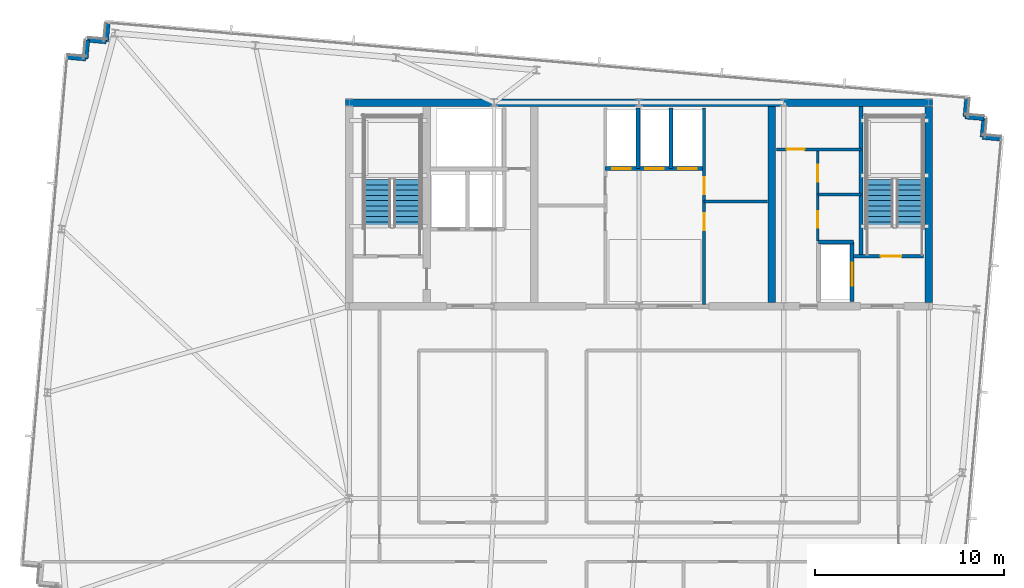
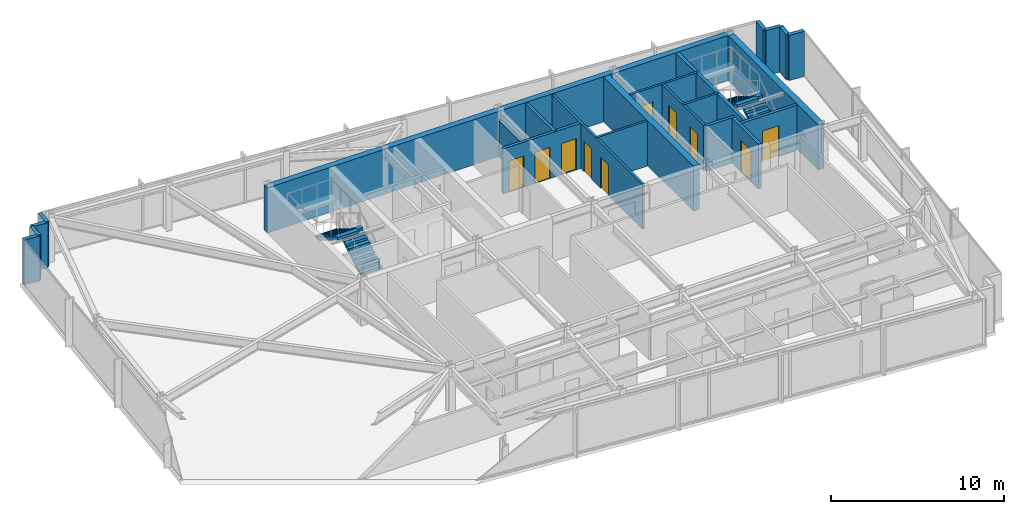
# One storey, part 28 of 32: 23 walls, 10 doors, 4 stair flights, 10 openings, 2 elements without a shape of their own.
"""IFC4 building model written with IfcOpenShell, lengths in metres."""

from ifc_helpers import new_model, si_unit, direction, frame, frame_2d, origin, place, context, subcontext, project, spatial, polyline, rectangle, outline, extrude, material, layer, layer_set, type_object, element, fill, aggregate, save


model = new_model("IFC4")

# Units and contexts
model_context = context("Model", 3, precision=1e-05, world=origin(), true_north=direction((0.0, 1.0)))
body_context = subcontext(model_context, "Body", "Model", "MODEL_VIEW")
ifc_project = project(units=[si_unit("LENGTHUNIT", "METRE"), si_unit("AREAUNIT", "SQUARE_METRE"), si_unit("VOLUMEUNIT", "CUBIC_METRE"), si_unit("PLANEANGLEUNIT", "RADIAN"), si_unit("MASSUNIT", "GRAM", prefix="KILO")], contexts=[model_context])

# Site, building, storey
site_placement = place(None, origin())
site = spatial("IfcSite", under=ifc_project, at=site_placement, CompositionType="ELEMENT")
building_placement = place(site_placement, origin())
building = spatial("IfcBuilding", under=site, at=building_placement, Name="Yelkora Congress Tower", CompositionType="ELEMENT")
storey_placement = place(building_placement, frame((0.0, 0.0, 276.10009765625)))
storey = spatial("IfcBuildingStorey", under=building, at=storey_placement, Name="L77", CompositionType="ELEMENT", Elevation=276.10009765625)

# Walls
ifc_material_1 = material(Name="Concrete C50/60", Category="concrete")
ifc_layer_1 = layer(ifc_material_1, 0.219970703125)
ifc_layer_set_1 = layer_set([ifc_layer_1], Name="Concrete C50/60")
wall_type_1 = type_object("IfcWallType", Name="WALL-CORE-INT-220", PredefinedType="SHEAR", material=ifc_layer_set_1)
wall_1_placement = place(storey_placement, frame((50.179931640625, 38.050048828125, 0.0), z_axis=(0.0, 0.0, 1.0), x_axis=(0.0, 1.0, 0.0)))
element("IfcWall", 1, at=wall_1_placement, inside=storey, type_object=wall_type_1, Name="L77 ST02 West Stair Shear Wall", PredefinedType="SHEAR", context=body_context, shape_type="SweptSolid", body=[
    extrude(rectangle(XDim=7.949951171875, YDim=0.219970703125, at=frame_2d((3.97509765625, 0.0))), origin(), (0.0, 0.0, 1.0), 3.179931640625),
])
ifc_layer_2 = layer(ifc_material_1, 0.39990234375)
ifc_layer_set_2 = layer_set([ifc_layer_2], Name="Concrete C50/60")
wall_type_2 = type_object("IfcWallType", Name="WALL-CORE-INT-400", PredefinedType="SHEAR", material=ifc_layer_set_2)
wall_2_placement = place(storey_placement, frame((22.840087890625, 46.199951171875, 0.0), z_axis=(0.0, 0.0, 1.0), x_axis=(1.0, 0.0, 0.0)))
element("IfcWall", 2, at=wall_2_placement, inside=storey, type_object=wall_type_2, Name="L77 Rear Core North Shear Wall", PredefinedType="SHEAR", context=body_context, shape_type="SweptSolid", body=[
    extrude(rectangle(XDim=31.119873046875, YDim=0.39990234375, at=frame_2d((15.56005859375, 0.0))), origin(), (0.0, 0.0, 1.0), 3.179931640625),
])
for number, where, z_axis, x_axis, name in (
    (3, (45.449951171875, 35.60009765625, 0.0), (0.0, 0.0, 1.0), (0.0, 1.0, 0.0), "L77 Rear Core Cross Shear Wall C3"),
    (4, (53.760009765625, 35.60009765625, 0.0), (0.0, 0.0, 1.0), (0.0, 1.0, 0.0), "L77 Rear Core Cross Shear Wall E"),
):
    element("IfcWall", number, at=place(storey_placement, frame(where, z_axis=z_axis, x_axis=x_axis)), inside=storey, type_object=wall_type_2, Name=name, PredefinedType="SHEAR", context=body_context, shape_type="SweptSolid", body=[
        extrude(rectangle(XDim=10.39990234375, YDim=0.39990234375, at=frame_2d((5.199951171875, 0.0))), origin(), (0.0, 0.0, 1.0), 3.179931640625),
    ])
ifc_material_2 = material(Name="Concrete C40/50", Category="concrete")
ifc_layer_3 = layer(ifc_material_2, 0.239990234375)
ifc_layer_set_3 = layer_set([ifc_layer_3], Name="Concrete C40/50")
wall_type_3 = type_object("IfcWallType", Name="WALL-EXT-LIMESTONE-240", PredefinedType="SOLIDWALL", material=ifc_layer_set_3)
for number, where, z_axis, x_axis, name in (
    (5, (8.0732421875, 48.609619140625, 0.0), (0.0, 0.0, 1.0), (0.996195572005, -0.087145753297, 0.0), "L77 Serrated Corner Limestone Pier 6"),
    (6, (9.069580078125, 48.5224609375, 0.0), (0.0, 0.0, 1.0), (0.087145753297, 0.996195572005, 0.0), "L77 Serrated Corner Limestone Pier 7"),
):
    element("IfcWall", number, at=place(storey_placement, frame(where, z_axis=z_axis, x_axis=x_axis)), inside=storey, type_object=wall_type_3, Name=name, PredefinedType="SOLIDWALL", context=body_context, shape_type="SweptSolid", body=[
        extrude(rectangle(XDim=1.000244140625, YDim=0.239990234375, at=frame_2d((0.5, 0.0))), origin(), (0.0, 0.0, 1.0), 3.179931640625),
    ])
for number, where, z_axis, x_axis, name in (
    (7, (9.15673828125, 49.518798828125, 0.0), (0.0, 0.0, 1.0), (0.996193717496, -0.087166950281, 0.0), "L77 Serrated Corner Limestone Pier 8"),
    (8, (10.15283203125, 49.431640625, 0.0), (0.0, 0.0, 1.0), (0.087166950281, 0.996193717496, 0.0), "L77 Serrated Corner Limestone Pier 9"),
    (9, (55.785888671875, 46.443115234375, 0.0), (0.0, 0.0, 1.0), (-0.086903493655, -0.996216734848, 0.0), "L77 Serrated Corner Limestone Pier 11"),
    (10, (55.698974609375, 45.44677734375, 0.0), (0.0, 0.0, 1.0), (0.996193717496, -0.087166950281, 0.0), "L77 Serrated Corner Limestone Pier 12"),
    (11, (56.695068359375, 45.359619140625, 0.0), (0.0, 0.0, 1.0), (-0.087166950281, -0.996193717496, 0.0), "L77 Serrated Corner Limestone Pier 13"),
    (12, (56.60791015625, 44.363525390625, 0.0), (0.0, 0.0, 1.0), (0.996193717496, -0.087166950281, 0.0), "L77 Serrated Corner Limestone Pier 14"),
):
    element("IfcWall", number, at=place(storey_placement, frame(where, z_axis=z_axis, x_axis=x_axis)), inside=storey, type_object=wall_type_3, Name=name, PredefinedType="SOLIDWALL", context=body_context, shape_type="SweptSolid", body=[
        extrude(rectangle(XDim=1.0, YDim=0.239990234375, at=frame_2d((0.5, 0.0))), origin(), (0.0, 0.0, 1.0), 3.179931640625),
    ])

# Wall, opening, door
ifc_material_3 = material(Name="Acoustic metal-stud gypsum partition", Category="gypsum")
ifc_layer_4 = layer(ifc_material_3, 0.14990234375)
ifc_layer_set_4 = layer_set([ifc_layer_4], Name="Acoustic metal-stud gypsum partition")
wall_type_4 = type_object("IfcWallType", Name="WALL-INT-150-NR", PredefinedType="PARTITIONING", material=ifc_layer_set_4)
wall_3_placement = place(storey_placement, frame((45.679931640625, 43.719970703125, 0.0), z_axis=(0.0, 0.0, 1.0), x_axis=(1.0, 0.0, 0.0)))
wall_3 = element("IfcWall", 13, at=wall_3_placement, inside=storey, type_object=wall_type_4, Name="L77 Partition Wall 20", PredefinedType="PARTITIONING", context=body_context, shape_type="SweptSolid", body=[
    extrude(rectangle(XDim=4.5, YDim=0.14990234375, at=frame_2d((2.25, 0.0))), origin(), (0.0, 0.0, 1.0), 3.179931640625),
])
opening_1_placement = place(wall_3_placement, frame((0.550048828125, 0.0, 0.0)))
opening_1 = element("IfcOpeningElement", 14, at=opening_1_placement, cuts=wall_3, Name="Opening DR-095N", PredefinedType="OPENING", context=body_context, shape_type="SweptSolid", body=[
    extrude(rectangle(XDim=0.949951171875, YDim=2.14990234375, at=frame_2d((0.47509765625, 1.074951171875))), frame((0.0, 0.0849609375, 0.0), z_axis=(0.0, -1.0, 0.0), x_axis=(1.0, 0.0, 0.0)), (0.0, 0.0, 1.0), 0.169921875),
])
ifc_material_4 = material(Name="Acoustic laminated timber office door", Category="wood")
door_type_1 = type_object("IfcDoorType", Name="DOOR-INT-950", OperationType="NOTDEFINED", PredefinedType="DOOR", material=ifc_material_4)
door_1_placement = place(opening_1_placement, origin())
door_1 = element("IfcDoor", 15, at=door_1_placement, inside=storey, type_object=door_type_1, Name="L77 Accessible WC Door", OperationType="SINGLE_SWING_LEFT", OverallHeight=2.14990234375, OverallWidth=0.949951171875, PredefinedType="DOOR", context=body_context, shape_type="SweptSolid", body=[
    extrude(rectangle(XDim=0.949951171875, YDim=2.14990234375, at=frame_2d((0.47509765625, 1.074951171875))), frame((0.0, 0.02490234375, 0.0), z_axis=(0.0, -1.0, 0.0), x_axis=(1.0, 0.0, 0.0)), (0.0, 0.0, 1.0), 0.050048828125),
])
fill(opening_1, door_1)

# Wall
wall_4_placement = place(storey_placement, frame((47.8798828125, 41.320068359375, 0.0), z_axis=(0.0, 0.0, 1.0), x_axis=(1.0, 0.0, 0.0)))
element("IfcWall", 16, at=wall_4_placement, inside=storey, type_object=wall_type_4, Name="L77 Partition Wall 21", PredefinedType="PARTITIONING", context=body_context, shape_type="SweptSolid", body=[
    extrude(rectangle(XDim=2.300048828125, YDim=0.14990234375, at=frame_2d((1.14990234375, 0.0))), origin(), (0.0, 0.0, 1.0), 3.179931640625),
])

# Wall, openings, doors
wall_5_placement = place(storey_placement, frame((47.8798828125, 38.85009765625, 0.0), z_axis=(0.0, 0.0, 1.0), x_axis=(0.0, 1.0, 0.0)))
wall_5 = element("IfcWall", 17, at=wall_5_placement, inside=storey, type_object=wall_type_4, Name="L77 Partition Wall 22", PredefinedType="PARTITIONING", context=body_context, shape_type="SweptSolid", body=[
    extrude(rectangle(XDim=4.869873046875, YDim=0.14990234375, at=frame_2d((2.43505859375, 0.0))), origin(), (0.0, 0.0, 1.0), 3.179931640625),
])
opening_2_placement = place(wall_5_placement, frame((0.699951171875, 0.0, 0.0)))
opening_2 = element("IfcOpeningElement", 18, at=opening_2_placement, cuts=wall_5, Name="Opening DR-090N", PredefinedType="OPENING", context=body_context, shape_type="SweptSolid", body=[
    extrude(rectangle(XDim=0.89990234375, YDim=2.14990234375, at=frame_2d((0.449951171875, 1.074951171875))), frame((0.0, 0.0849609375, 0.0), z_axis=(0.0, -1.0, 0.0), x_axis=(1.0, 0.0, 0.0)), (0.0, 0.0, 1.0), 0.169921875),
])
opening_3_placement = place(wall_5_placement, frame((3.14990234375, 0.0, 0.0)))
opening_3 = element("IfcOpeningElement", 19, at=opening_3_placement, cuts=wall_5, Name="Opening DR-090N", PredefinedType="OPENING", context=body_context, shape_type="SweptSolid", body=[
    extrude(rectangle(XDim=0.89990234375, YDim=2.14990234375, at=frame_2d((0.449951171875, 1.074951171875))), frame((0.0, 0.0849609375, 0.0), z_axis=(0.0, -1.0, 0.0), x_axis=(1.0, 0.0, 0.0)), (0.0, 0.0, 1.0), 0.169921875),
])
ifc_material_5 = material(Name="Moisture-resistant laminate door leaf", Category="wood")
door_type_2 = type_object("IfcDoorType", Name="DOOR-INT-900", OperationType="NOTDEFINED", PredefinedType="DOOR", material=ifc_material_5)
door_2_placement = place(opening_2_placement, origin())
door_2 = element("IfcDoor", 20, at=door_2_placement, inside=storey, type_object=door_type_2, Name="L77 Male WC Door", OperationType="SINGLE_SWING_RIGHT", OverallHeight=2.14990234375, OverallWidth=0.89990234375, PredefinedType="DOOR", context=body_context, shape_type="SweptSolid", body=[
    extrude(rectangle(XDim=0.89990234375, YDim=2.14990234375, at=frame_2d((0.449951171875, 1.074951171875))), frame((0.0, 0.02490234375, 0.0), z_axis=(0.0, -1.0, 0.0), x_axis=(1.0, 0.0, 0.0)), (0.0, 0.0, 1.0), 0.050048828125),
])
fill(opening_2, door_2)
door_3_placement = place(opening_3_placement, origin())
door_3 = element("IfcDoor", 21, at=door_3_placement, inside=storey, type_object=door_type_2, Name="L77 Female WC Door", OperationType="SINGLE_SWING_LEFT", OverallHeight=2.14990234375, OverallWidth=0.89990234375, PredefinedType="DOOR", context=body_context, shape_type="SweptSolid", body=[
    extrude(rectangle(XDim=0.89990234375, YDim=2.14990234375, at=frame_2d((0.449951171875, 1.074951171875))), frame((0.0, 0.02490234375, 0.0), z_axis=(0.0, -1.0, 0.0), x_axis=(1.0, 0.0, 0.0)), (0.0, 0.0, 1.0), 0.050048828125),
])
fill(opening_3, door_3)

# Wall
ifc_material_6 = material(Name="Twin-stud fire-rated gypsum partition", Category="gypsum")
ifc_layer_5 = layer(ifc_material_6, 0.14990234375)
ifc_layer_set_5 = layer_set([ifc_layer_5], Name="Twin-stud fire-rated gypsum partition")
wall_type_5 = type_object("IfcWallType", Name="WALL-INT-150-R60", PredefinedType="PARTITIONING", material=ifc_layer_set_5)
wall_6_placement = place(storey_placement, frame((41.85009765625, 40.949951171875, 0.0), z_axis=(0.0, 0.0, 1.0), x_axis=(1.0, 0.0, 0.0)))
element("IfcWall", 22, at=wall_6_placement, inside=storey, type_object=wall_type_5, Name="L77 Partition Wall 13", PredefinedType="PARTITIONING", context=body_context, shape_type="SweptSolid", body=[
    extrude(rectangle(XDim=3.369873046875, YDim=0.14990234375, at=frame_2d((1.68505859375, 0.0))), origin(), (0.0, 0.0, 1.0), 3.179931640625),
])

# Wall, openings, doors
wall_7_placement = place(storey_placement, frame((41.85009765625, 35.5, 0.0), z_axis=(0.0, 0.0, 1.0), x_axis=(0.0, 1.0, 0.0)))
wall_7 = element("IfcWall", 23, at=wall_7_placement, inside=storey, type_object=wall_type_5, Name="L77 Partition Wall 14", PredefinedType="PARTITIONING", context=body_context, shape_type="SweptSolid", body=[
    extrude(rectangle(XDim=10.419921875, YDim=0.14990234375, at=frame_2d((5.2099609375, 0.0))), origin(), (0.0, 0.0, 1.0), 3.179931640625),
])
opening_4_placement = place(wall_7_placement, frame((3.919921875, 0.0, 0.0)))
opening_4 = element("IfcOpeningElement", 24, at=opening_4_placement, cuts=wall_7, Name="Opening DR-090F6", PredefinedType="OPENING", context=body_context, shape_type="SweptSolid", body=[
    extrude(rectangle(XDim=0.89990234375, YDim=2.14990234375, at=frame_2d((0.449951171875, 1.074951171875))), frame((0.0, 0.0849609375, 0.0), z_axis=(0.0, -1.0, 0.0), x_axis=(1.0, 0.0, 0.0)), (0.0, 0.0, 1.0), 0.169921875),
])
opening_5_placement = place(wall_7_placement, frame((5.85009765625, 0.0, 0.0)))
opening_5 = element("IfcOpeningElement", 25, at=opening_5_placement, cuts=wall_7, Name="Opening DR-090F6", PredefinedType="OPENING", context=body_context, shape_type="SweptSolid", body=[
    extrude(rectangle(XDim=0.89990234375, YDim=2.14990234375, at=frame_2d((0.449951171875, 1.074951171875))), frame((0.0, 0.0849609375, 0.0), z_axis=(0.0, -1.0, 0.0), x_axis=(1.0, 0.0, 0.0)), (0.0, 0.0, 1.0), 0.169921875),
])
ifc_material_7 = material(Name="Painted steel riser fire door leaf", Category="steel")
door_type_3 = type_object("IfcDoorType", Name="DOOR-FD60-900", OperationType="NOTDEFINED", PredefinedType="DOOR", material=ifc_material_7)
door_4_placement = place(opening_4_placement, origin())
door_4 = element("IfcDoor", 26, at=door_4_placement, inside=storey, type_object=door_type_3, Name="L77 High-Zone BMS Door", OperationType="SINGLE_SWING_RIGHT", OverallHeight=2.14990234375, OverallWidth=0.89990234375, PredefinedType="DOOR", context=body_context, shape_type="SweptSolid", body=[
    extrude(rectangle(XDim=0.89990234375, YDim=2.14990234375, at=frame_2d((0.449951171875, 1.074951171875))), frame((0.0, 0.02490234375, 0.0), z_axis=(0.0, -1.0, 0.0), x_axis=(1.0, 0.0, 0.0)), (0.0, 0.0, 1.0), 0.050048828125),
])
fill(opening_4, door_4)
door_5_placement = place(opening_5_placement, origin())
door_5 = element("IfcDoor", 27, at=door_5_placement, inside=storey, type_object=door_type_3, Name="L77 Linen Store Door", OperationType="SINGLE_SWING_LEFT", OverallHeight=2.14990234375, OverallWidth=0.89990234375, PredefinedType="DOOR", context=body_context, shape_type="SweptSolid", body=[
    extrude(rectangle(XDim=0.89990234375, YDim=2.14990234375, at=frame_2d((0.449951171875, 1.074951171875))), frame((0.0, 0.02490234375, 0.0), z_axis=(0.0, -1.0, 0.0), x_axis=(1.0, 0.0, 0.0)), (0.0, 0.0, 1.0), 0.050048828125),
])
fill(opening_5, door_5)

ifc_material_8 = material(Name="Autoclaved aerated concrete blockwork", Category="masonry")
ifc_layer_6 = layer(ifc_material_8, 0.199951171875)
ifc_layer_set_6 = layer_set([ifc_layer_6], Name="Autoclaved aerated concrete blockwork")
wall_type_6 = type_object("IfcWallType", Name="WALL-INT-200-R120", PredefinedType="PARTITIONING", material=ifc_layer_set_6)
wall_8_placement = place(storey_placement, frame((36.60009765625, 42.699951171875, 0.0), z_axis=(0.0, 0.0, 1.0), x_axis=(1.0, 0.0, 0.0)))
wall_8 = element("IfcWall", 28, at=wall_8_placement, inside=storey, type_object=wall_type_6, Name="L77 Partition Wall 8", PredefinedType="PARTITIONING", context=body_context, shape_type="SweptSolid", body=[
    extrude(rectangle(XDim=5.25, YDim=0.199951171875, at=frame_2d((2.625, 0.0))), origin(), (0.0, 0.0, 1.0), 3.179931640625),
])
opening_6_placement = place(wall_8_placement, frame((0.375, 0.0, 0.0)))
opening_6 = element("IfcOpeningElement", 29, at=opening_6_placement, cuts=wall_8, Name="Opening LD-PS10", PredefinedType="OPENING", context=body_context, shape_type="SweptSolid", body=[
    extrude(rectangle(XDim=1.0, YDim=2.199951171875, at=frame_2d((0.5, 1.10009765625))), frame((0.0, 0.10986328125, 0.0), z_axis=(0.0, -1.0, 0.0), x_axis=(1.0, 0.0, 0.0)), (0.0, 0.0, 1.0), 0.219970703125),
])
opening_7_placement = place(wall_8_placement, frame((2.125, 0.0, 0.0)))
opening_7 = element("IfcOpeningElement", 30, at=opening_7_placement, cuts=wall_8, Name="Opening LD-PS10", PredefinedType="OPENING", context=body_context, shape_type="SweptSolid", body=[
    extrude(rectangle(XDim=1.0, YDim=2.199951171875, at=frame_2d((0.5, 1.10009765625))), frame((0.0, 0.10986328125, 0.0), z_axis=(0.0, -1.0, 0.0), x_axis=(1.0, 0.0, 0.0)), (0.0, 0.0, 1.0), 0.219970703125),
])
opening_8_placement = place(wall_8_placement, frame((3.875, 0.0, 0.0)))
opening_8 = element("IfcOpeningElement", 31, at=opening_8_placement, cuts=wall_8, Name="Opening LD-PS10", PredefinedType="OPENING", context=body_context, shape_type="SweptSolid", body=[
    extrude(rectangle(XDim=1.0, YDim=2.199951171875, at=frame_2d((0.5, 1.10009765625))), frame((0.0, 0.10986328125, 0.0), z_axis=(0.0, -1.0, 0.0), x_axis=(1.0, 0.0, 0.0)), (0.0, 0.0, 1.0), 0.219970703125),
])
ifc_material_9 = material(Name="Champagne stainless steel landing door", Category="steel")
door_type_4 = type_object("IfcDoorType", Name="DOOR-LIFT-PAS-1000", OperationType="DOUBLE_DOOR_SLIDING", PredefinedType="DOOR", material=ifc_material_9)
door_6_placement = place(opening_6_placement, origin())
door_6 = element("IfcDoor", 32, at=door_6_placement, inside=storey, type_object=door_type_4, Name="Lift Landing Door LF-P9 L77", OperationType="DOUBLE_DOOR_SLIDING", OverallHeight=2.199951171875, OverallWidth=1.0, PredefinedType="DOOR", context=body_context, shape_type="SweptSolid", body=[
    extrude(rectangle(XDim=1.0, YDim=2.199951171875, at=frame_2d((0.5, 1.10009765625))), frame((0.0, 0.02490234375, 0.0), z_axis=(0.0, -1.0, 0.0), x_axis=(1.0, 0.0, 0.0)), (0.0, 0.0, 1.0), 0.050048828125),
])
fill(opening_6, door_6)
door_7_placement = place(opening_7_placement, origin())
door_7 = element("IfcDoor", 33, at=door_7_placement, inside=storey, type_object=door_type_4, Name="Lift Landing Door LF-P10 L77", OperationType="DOUBLE_DOOR_SLIDING", OverallHeight=2.199951171875, OverallWidth=1.0, PredefinedType="DOOR", context=body_context, shape_type="SweptSolid", body=[
    extrude(rectangle(XDim=1.0, YDim=2.199951171875, at=frame_2d((0.5, 1.10009765625))), frame((0.0, 0.02490234375, 0.0), z_axis=(0.0, -1.0, 0.0), x_axis=(1.0, 0.0, 0.0)), (0.0, 0.0, 1.0), 0.050048828125),
])
fill(opening_7, door_7)
door_8_placement = place(opening_8_placement, origin())
door_8 = element("IfcDoor", 34, at=door_8_placement, inside=storey, type_object=door_type_4, Name="Lift Landing Door LF-P11 L77", OperationType="DOUBLE_DOOR_SLIDING", OverallHeight=2.199951171875, OverallWidth=1.0, PredefinedType="DOOR", context=body_context, shape_type="SweptSolid", body=[
    extrude(rectangle(XDim=1.0, YDim=2.199951171875, at=frame_2d((0.5, 1.10009765625))), frame((0.0, 0.02490234375, 0.0), z_axis=(0.0, -1.0, 0.0), x_axis=(1.0, 0.0, 0.0)), (0.0, 0.0, 1.0), 0.050048828125),
])
fill(opening_8, door_8)

# Walls
wall_9_placement = place(storey_placement, frame((38.35009765625, 42.699951171875, 0.0), z_axis=(0.0, 0.0, 1.0), x_axis=(0.0, 1.0, 0.0)))
element("IfcWall", 35, at=wall_9_placement, inside=storey, type_object=wall_type_6, Name="L77 Partition Wall 9", PredefinedType="PARTITIONING", context=body_context, shape_type="SweptSolid", body=[
    extrude(rectangle(XDim=3.219970703125, YDim=0.199951171875, at=frame_2d((1.60986328125, 0.0))), origin(), (0.0, 0.0, 1.0), 2.574951171875),
])
wall_10_placement = place(storey_placement, frame((40.10009765625, 42.699951171875, 0.0), z_axis=(0.0, 0.0, 1.0), x_axis=(0.0, 1.0, 0.0)))
element("IfcWall", 36, at=wall_10_placement, inside=storey, type_object=wall_type_6, Name="L77 Partition Wall 10", PredefinedType="PARTITIONING", context=body_context, shape_type="SweptSolid", body=[
    extrude(rectangle(XDim=3.219970703125, YDim=0.199951171875, at=frame_2d((1.60986328125, 0.0))), origin(), (0.0, 0.0, 1.0), 3.179931640625),
])

# Wall, opening, door
wall_11_placement = place(storey_placement, frame((49.780029296875, 38.050048828125, 0.0), z_axis=(0.0, 0.0, 1.0), x_axis=(1.0, 0.0, 0.0)))
wall_11 = element("IfcWall", 37, at=wall_11_placement, inside=storey, type_object=wall_type_6, Name="L77 Stair ST-02 Enclosure Wall", PredefinedType="PARTITIONING", context=body_context, shape_type="SweptSolid", body=[
    extrude(rectangle(XDim=3.719970703125, YDim=0.199951171875, at=frame_2d((1.85986328125, 0.0))), origin(), (0.0, 0.0, 1.0), 3.179931640625),
])
opening_9_placement = place(wall_11_placement, frame((1.436279296875, 0.0, 0.0)))
opening_9 = element("IfcOpeningElement", 38, at=opening_9_placement, cuts=wall_11, Name="Opening DR-110F9", PredefinedType="OPENING", context=body_context, shape_type="SweptSolid", body=[
    extrude(rectangle(XDim=1.10009765625, YDim=2.14990234375, at=frame_2d((0.550048828125, 1.074951171875))), frame((0.0, 0.10986328125, 0.0), z_axis=(0.0, -1.0, 0.0), x_axis=(1.0, 0.0, 0.0)), (0.0, 0.0, 1.0), 0.219970703125),
])
ifc_material_10 = material(Name="Galvanised steel fire door leaf", Category="steel")
door_type_5 = type_object("IfcDoorType", Name="DOOR-FD90-1100", OperationType="NOTDEFINED", PredefinedType="DOOR", material=ifc_material_10)
door_9_placement = place(opening_9_placement, origin())
door_9 = element("IfcDoor", 39, at=door_9_placement, inside=storey, type_object=door_type_5, Name="L77 Stair ST-02 Entry Door", OperationType="SINGLE_SWING_RIGHT", OverallHeight=2.14990234375, OverallWidth=1.10009765625, PredefinedType="DOOR", context=body_context, shape_type="SweptSolid", body=[
    extrude(rectangle(XDim=1.10009765625, YDim=2.14990234375, at=frame_2d((0.550048828125, 1.074951171875))), frame((0.0, 0.02490234375, 0.0), z_axis=(0.0, -1.0, 0.0), x_axis=(1.0, 0.0, 0.0)), (0.0, 0.0, 1.0), 0.050048828125),
])
fill(opening_9, door_9)

wall_12_placement = place(storey_placement, frame((49.699951171875, 35.64990234375, 0.0), z_axis=(0.0, 0.0, 1.0), x_axis=(0.0, 1.0, 0.0)))
wall_12 = element("IfcWall", 40, at=wall_12_placement, inside=storey, type_object=wall_type_6, Name="L77 Partition Wall 17", PredefinedType="PARTITIONING", context=body_context, shape_type="SweptSolid", body=[
    extrude(rectangle(XDim=3.150146484375, YDim=0.199951171875, at=frame_2d((1.5751953125, 0.0))), origin(), (0.0, 0.0, 1.0), 3.179931640625),
])
opening_10_placement = place(wall_12_placement, frame((0.85009765625, 0.0, 0.0)))
opening_10 = element("IfcOpeningElement", 41, at=opening_10_placement, cuts=wall_12, Name="Opening LD-SV12", PredefinedType="OPENING", context=body_context, shape_type="SweptSolid", body=[
    extrude(rectangle(XDim=1.199951171875, YDim=2.199951171875, at=frame_2d((0.60009765625, 1.10009765625))), frame((0.0, 0.10986328125, 0.0), z_axis=(0.0, -1.0, 0.0), x_axis=(1.0, 0.0, 0.0)), (0.0, 0.0, 1.0), 0.219970703125),
])
ifc_material_11 = material(Name="Heavy-duty stainless steel landing door", Category="steel")
door_type_6 = type_object("IfcDoorType", Name="DOOR-LIFT-SRV-1200", OperationType="DOUBLE_DOOR_SLIDING", PredefinedType="DOOR", material=ifc_material_11)
door_10_placement = place(opening_10_placement, origin())
door_10 = element("IfcDoor", 42, at=door_10_placement, inside=storey, type_object=door_type_6, Name="Service Lift Landing Door LF-SV1 L77", OperationType="DOUBLE_DOOR_SLIDING", OverallHeight=2.199951171875, OverallWidth=1.199951171875, PredefinedType="DOOR", context=body_context, shape_type="SweptSolid", body=[
    extrude(rectangle(XDim=1.199951171875, YDim=2.199951171875, at=frame_2d((0.60009765625, 1.10009765625))), frame((0.0, 0.02490234375, 0.0), z_axis=(0.0, -1.0, 0.0), x_axis=(1.0, 0.0, 0.0)), (0.0, 0.0, 1.0), 0.050048828125),
])
fill(opening_10, door_10)

# Wall
wall_13_placement = place(storey_placement, frame((47.919921875, 38.800048828125, 0.0), z_axis=(0.0, 0.0, 1.0), x_axis=(1.0, 0.0, 0.0)))
element("IfcWall", 43, at=wall_13_placement, inside=storey, type_object=wall_type_6, Name="L77 Partition Wall 19", PredefinedType="PARTITIONING", context=body_context, shape_type="SweptSolid", body=[
    extrude(rectangle(XDim=1.860107421875, YDim=0.199951171875, at=frame_2d((0.93017578125, 0.0))), origin(), (0.0, 0.0, 1.0), 3.179931640625),
])

# Stair, stair flights
stair_type = type_object("IfcStairType", Name="STAIR-HT-1420-R20-170", PredefinedType="HALF_TURN_STAIR", material=ifc_material_2)
stair_1_placement = place(storey_placement, origin())
stair_1 = element("IfcStair", 44, at=stair_1_placement, inside=storey, type_object=stair_type, Name="West Core Protected Exit Stair ST-01 (L77)", PredefinedType="HALF_TURN_STAIR")
stair_flight_type = type_object("IfcStairFlightType", Name="FLIGHT-1420-N10-R170-G280", PredefinedType="STRAIGHT", material=ifc_material_2)
stair_flight_1_placement = place(storey_placement, frame((26.110107421875, 39.60009765625, 0.0), z_axis=(0.0, 0.0, 1.0), x_axis=(0.0, 1.0, 0.0)))
stair_flight_1 = element("IfcStairFlight", 45, at=stair_flight_1_placement, type_object=stair_flight_type, Name="ST-01 L77 Flight 1", NumberOfRisers=10, NumberOfTreads=9, PredefinedType="STRAIGHT", RiserHeight=0.17, TreadLength=0.28, context=body_context, shape_type="SweptSolid", body=[
    extrude(outline(polyline([(0.0, 0.0), (0.0, 0.169921875), (0.280029296875, 0.169921875), (0.280029296875, 0.340087890625), (0.56005859375, 0.340087890625), (0.56005859375, 0.510009765625), (0.840087890625, 0.510009765625), (0.840087890625, 0.679931640625), (1.1201171875, 0.679931640625), (1.1201171875, 0.85009765625), (1.39990234375, 0.85009765625), (1.39990234375, 1.02001953125), (1.679931640625, 1.02001953125), (1.679931640625, 1.18994140625), (1.9599609375, 1.18994140625), (1.9599609375, 1.360107421875), (2.239990234375, 1.360107421875), (2.239990234375, 1.530029296875), (2.52001953125, 1.530029296875), (2.52001953125, 1.699951171875), (2.52001953125, 1.343017578125), (0.30810546875, 0.0), (0.0, 0.0)])), frame((0.0, 0.7099609375, 0.0), z_axis=(0.0, -1.0, 0.0), x_axis=(1.0, 0.0, 0.0)), (0.0, 0.0, 1.0), 1.419921875),
])
stair_flight_2_placement = place(storey_placement, frame((24.530029296875, 42.1201171875, 1.699951171875), z_axis=(0.0, 0.0, 1.0), x_axis=(0.0, -1.0, 0.0)))
stair_flight_2 = element("IfcStairFlight", 46, at=stair_flight_2_placement, type_object=stair_flight_type, Name="ST-01 L77 Flight 2", NumberOfRisers=10, NumberOfTreads=9, PredefinedType="STRAIGHT", RiserHeight=0.17, TreadLength=0.28, context=body_context, shape_type="SweptSolid", body=[
    extrude(outline(polyline([(0.0, 0.0), (0.0, 0.169921875), (0.280029296875, 0.169921875), (0.280029296875, 0.340087890625), (0.56005859375, 0.340087890625), (0.56005859375, 0.510009765625), (0.840087890625, 0.510009765625), (0.840087890625, 0.679931640625), (1.1201171875, 0.679931640625), (1.1201171875, 0.85009765625), (1.39990234375, 0.85009765625), (1.39990234375, 1.02001953125), (1.679931640625, 1.02001953125), (1.679931640625, 1.18994140625), (1.9599609375, 1.18994140625), (1.9599609375, 1.360107421875), (2.239990234375, 1.360107421875), (2.239990234375, 1.530029296875), (2.52001953125, 1.530029296875), (2.52001953125, 1.699951171875), (2.52001953125, 1.343017578125), (0.30810546875, 0.0), (0.0, 0.0)])), frame((0.0, 0.7099609375, 0.0), z_axis=(0.0, -1.0, 0.0), x_axis=(1.0, 0.0, 0.0)), (0.0, 0.0, 1.0), 1.419921875),
])
aggregate(stair_1, [stair_flight_1, stair_flight_2])

stair_2_placement = place(storey_placement, origin())
stair_2 = element("IfcStair", 47, at=stair_2_placement, inside=storey, type_object=stair_type, Name="East Core Protected Exit Stair ST-02 (L77)", PredefinedType="HALF_TURN_STAIR")
stair_flight_3_placement = place(storey_placement, frame((52.75, 39.60009765625, 0.0), z_axis=(0.0, 0.0, 1.0), x_axis=(0.0, 1.0, 0.0)))
stair_flight_3 = element("IfcStairFlight", 48, at=stair_flight_3_placement, type_object=stair_flight_type, Name="ST-02 L77 Flight 1", NumberOfRisers=10, NumberOfTreads=9, PredefinedType="STRAIGHT", RiserHeight=0.17, TreadLength=0.28, context=body_context, shape_type="SweptSolid", body=[
    extrude(outline(polyline([(0.0, 0.0), (0.0, 0.169921875), (0.280029296875, 0.169921875), (0.280029296875, 0.340087890625), (0.56005859375, 0.340087890625), (0.56005859375, 0.510009765625), (0.840087890625, 0.510009765625), (0.840087890625, 0.679931640625), (1.1201171875, 0.679931640625), (1.1201171875, 0.85009765625), (1.39990234375, 0.85009765625), (1.39990234375, 1.02001953125), (1.679931640625, 1.02001953125), (1.679931640625, 1.18994140625), (1.9599609375, 1.18994140625), (1.9599609375, 1.360107421875), (2.239990234375, 1.360107421875), (2.239990234375, 1.530029296875), (2.52001953125, 1.530029296875), (2.52001953125, 1.699951171875), (2.52001953125, 1.343017578125), (0.30810546875, 0.0), (0.0, 0.0)])), frame((0.0, 0.7099609375, 0.0), z_axis=(0.0, -1.0, 0.0), x_axis=(1.0, 0.0, 0.0)), (0.0, 0.0, 1.0), 1.419921875),
])
stair_flight_4_placement = place(storey_placement, frame((51.169921875, 42.1201171875, 1.699951171875), z_axis=(0.0, 0.0, 1.0), x_axis=(0.0, -1.0, 0.0)))
stair_flight_4 = element("IfcStairFlight", 49, at=stair_flight_4_placement, type_object=stair_flight_type, Name="ST-02 L77 Flight 2", NumberOfRisers=10, NumberOfTreads=9, PredefinedType="STRAIGHT", RiserHeight=0.17, TreadLength=0.28, context=body_context, shape_type="SweptSolid", body=[
    extrude(outline(polyline([(0.0, 0.0), (0.0, 0.169921875), (0.280029296875, 0.169921875), (0.280029296875, 0.340087890625), (0.56005859375, 0.340087890625), (0.56005859375, 0.510009765625), (0.840087890625, 0.510009765625), (0.840087890625, 0.679931640625), (1.1201171875, 0.679931640625), (1.1201171875, 0.85009765625), (1.39990234375, 0.85009765625), (1.39990234375, 1.02001953125), (1.679931640625, 1.02001953125), (1.679931640625, 1.18994140625), (1.9599609375, 1.18994140625), (1.9599609375, 1.360107421875), (2.239990234375, 1.360107421875), (2.239990234375, 1.530029296875), (2.52001953125, 1.530029296875), (2.52001953125, 1.699951171875), (2.52001953125, 1.343017578125), (0.30810546875, 0.0), (0.0, 0.0)])), frame((0.0, 0.7099609375, 0.0), z_axis=(0.0, -1.0, 0.0), x_axis=(1.0, 0.0, 0.0)), (0.0, 0.0, 1.0), 1.419921875),
])
aggregate(stair_2, [stair_flight_3, stair_flight_4])

save(model, "model.ifc")
